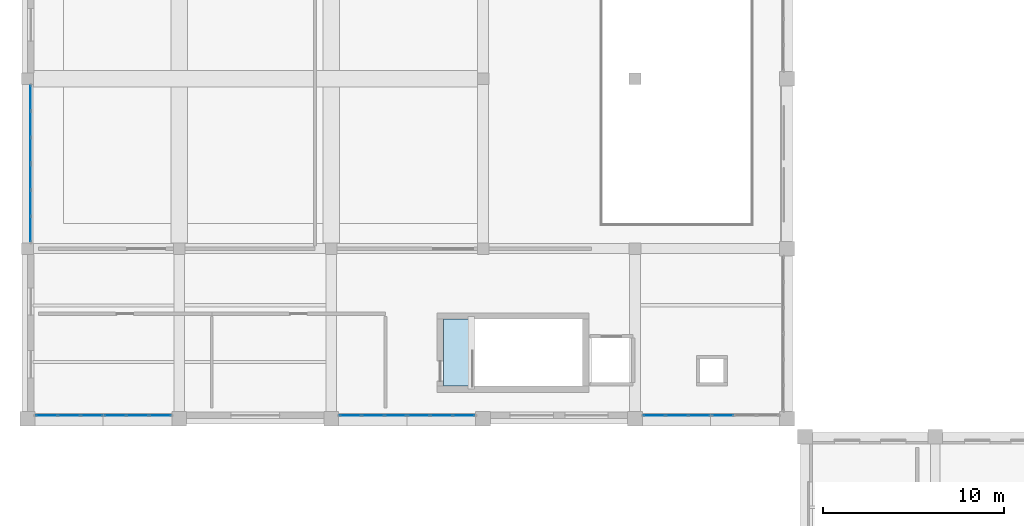
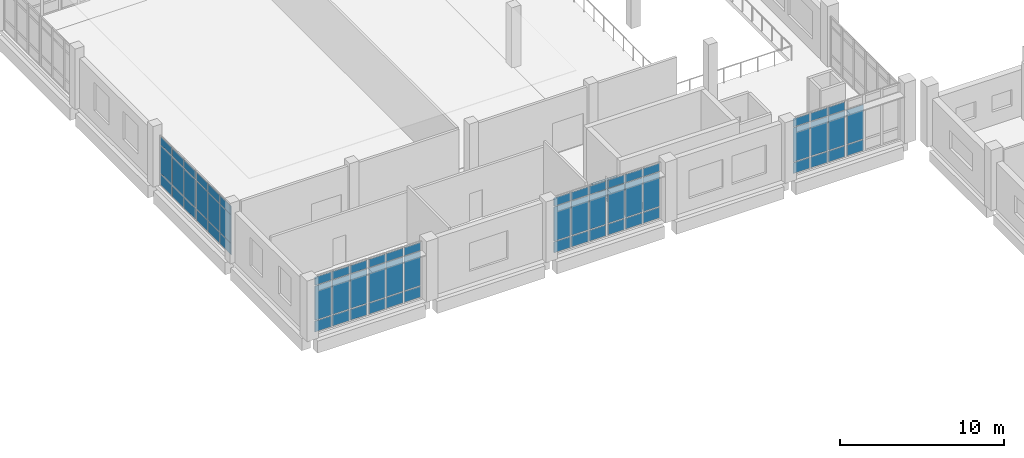
# One storey, part 30 of 54: 65 plates, 1 slab, 8 elements without a shape of their own.
"""IFC4 building model written with IfcOpenShell, lengths in metres."""

from ifc_helpers import new_model, si_unit, direction, frame, origin, origin_2d, place, context, subcontext, project, spatial, polyline, rectangle, outline, extrude, material, layer, layer_set, type_object, element, aggregate, save


model = new_model("IFC4")

# Units and contexts
model_context = context("Model", 3, precision=1e-05, world=origin(), true_north=direction((0.0, 1.0)))
body_context = subcontext(model_context, "Body", "Model", "MODEL_VIEW")
ifc_project = project(units=[si_unit("LENGTHUNIT", "METRE"), si_unit("AREAUNIT", "SQUARE_METRE"), si_unit("VOLUMEUNIT", "CUBIC_METRE"), si_unit("PLANEANGLEUNIT", "RADIAN"), si_unit("MASSUNIT", "GRAM", prefix="KILO")], contexts=[model_context])

# Site, building, storey
site_placement = place(None, origin())
site = spatial("IfcSite", under=ifc_project, at=site_placement, CompositionType="ELEMENT")
building_placement = place(site_placement, origin())
building = spatial("IfcBuilding", under=site, at=building_placement, Name="Kelarvand Opera House", CompositionType="ELEMENT")
storey_placement = place(building_placement, frame((0.0, 0.0, 15.0)))
storey = spatial("IfcBuildingStorey", under=building, at=storey_placement, Name="L03", CompositionType="ELEMENT", Elevation=15.0)

# Slab
ifc_material_1 = material(Name="Concrete C35/45", Category="concrete")
ifc_layer_1 = layer(ifc_material_1, 0.219970703125, Name="Concrete C35/45", Category="concrete")
ifc_layer_set_1 = layer_set([ifc_layer_1], Name="Concrete C35/45")
slab_type = type_object("IfcSlabType", Name="Core Stair Entry Landing Slab 220", PredefinedType="LANDING", material=ifc_layer_set_1)
slab_placement = place(storey_placement, frame((0.0, 0.0, -0.219970703125)))
element("IfcSlab", 1, at=slab_placement, inside=storey, type_object=slab_type, Name="C5 Stair Entry Landing L03", PredefinedType="LANDING", context=body_context, shape_type="SweptSolid", body=[
    extrude(outline(polyline([(32.0, 89.0), (33.719970703125, 89.0), (33.719970703125, 92.699951171875), (32.0, 92.699951171875), (32.0, 89.0)])), origin(), (0.0, 0.0, 1.0), 0.219970703125),
])

# Curtain wall, plates
ifc_material_2 = material(Name="Thermally broken aluminium and low-E glazing", Category="aluminium")
ifc_layer_2 = layer(ifc_material_2, 0.179931640625, Name="Thermally broken aluminium and low-E glazing", Category="aluminium")
ifc_layer_set_2 = layer_set([ifc_layer_2], Name="Thermally broken aluminium and low-E glazing")
curtain_wall_type_1 = type_object("IfcCurtainWallType", Name="Unitised Low-E Curtain Wall 4326x3717 Mod 1350 CWF-20", PredefinedType="USERDEFINED", material=ifc_layer_set_2)
curtain_wall_1_placement = place(storey_placement, origin())
curtain_wall_1 = element("IfcCurtainWall", 2, at=curtain_wall_1_placement, inside=storey, type_object=curtain_wall_type_1, Name="V3 L03 Curtain Wall CWF-20 (97)", ObjectType="UNITISED CURTAIN WALL", PredefinedType="USERDEFINED")
ifc_material_3 = material(Name="Low-E laminated double glazing", Category="glass")
ifc_layer_3 = layer(ifc_material_3, 0.031982421875, Name="Low-E laminated double glazing", Category="glass")
ifc_layer_set_3 = layer_set([ifc_layer_3], Name="Low-E laminated double glazing")
plate_type = type_object("IfcPlateType", Name="Low-E Argon Double Glazed Curtain Panel 32mm", PredefinedType="CURTAIN_PANEL", material=ifc_layer_set_3)
plate_1_placement = place(storey_placement, frame((9.179931640625, 97.677978515625, 0.06494140625), z_axis=(0.0, 0.0, 1.0), x_axis=(0.0, 1.0, 0.0)))
plate_1 = element("IfcPlate", 3, at=plate_1_placement, type_object=plate_type, Name="CWF-20 panel 1.1", PredefinedType="CURTAIN_PANEL", context=body_context, shape_type="SweptSolid", body=[
    extrude(rectangle(XDim=1.356201171875, YDim=0.031982421875, at=origin_2d()), origin(), (0.0, 0.0, 1.0), 0.802490234375),
])
plate_2_placement = place(storey_placement, frame((9.179931640625, 97.677978515625, 0.9326171875), z_axis=(0.0, 0.0, 1.0), x_axis=(0.0, 1.0, 0.0)))
plate_2 = element("IfcPlate", 4, at=plate_2_placement, type_object=plate_type, Name="CWF-20 panel 1.2", PredefinedType="CURTAIN_PANEL", context=body_context, shape_type="SweptSolid", body=[
    extrude(rectangle(XDim=1.356201171875, YDim=0.031982421875, at=origin_2d()), origin(), (0.0, 0.0, 1.0), 2.052001953125),
])
plate_3_placement = place(storey_placement, frame((9.179931640625, 97.677978515625, 3.04931640625), z_axis=(0.0, 0.0, 1.0), x_axis=(0.0, 1.0, 0.0)))
plate_3 = element("IfcPlate", 5, at=plate_3_placement, type_object=plate_type, Name="CWF-20 panel 1.3", PredefinedType="CURTAIN_PANEL", context=body_context, shape_type="SweptSolid", body=[
    extrude(rectangle(XDim=1.356201171875, YDim=0.031982421875, at=origin_2d()), origin(), (0.0, 0.0, 1.0), 0.602783203125),
])
plate_4_placement = place(storey_placement, frame((9.179931640625, 99.115478515625, 0.06494140625), z_axis=(0.0, 0.0, 1.0), x_axis=(0.0, 1.0, 0.0)))
plate_4 = element("IfcPlate", 6, at=plate_4_placement, type_object=plate_type, Name="CWF-20 panel 2.1", PredefinedType="CURTAIN_PANEL", context=body_context, shape_type="SweptSolid", body=[
    extrude(rectangle(XDim=1.388671875, YDim=0.031982421875, at=origin_2d()), origin(), (0.0, 0.0, 1.0), 0.802490234375),
])
plate_5_placement = place(storey_placement, frame((9.179931640625, 99.115478515625, 0.9326171875), z_axis=(0.0, 0.0, 1.0), x_axis=(0.0, 1.0, 0.0)))
plate_5 = element("IfcPlate", 7, at=plate_5_placement, type_object=plate_type, Name="CWF-20 panel 2.2", PredefinedType="CURTAIN_PANEL", context=body_context, shape_type="SweptSolid", body=[
    extrude(rectangle(XDim=1.388671875, YDim=0.031982421875, at=origin_2d()), origin(), (0.0, 0.0, 1.0), 2.052001953125),
])
plate_6_placement = place(storey_placement, frame((9.179931640625, 99.115478515625, 3.04931640625), z_axis=(0.0, 0.0, 1.0), x_axis=(0.0, 1.0, 0.0)))
plate_6 = element("IfcPlate", 8, at=plate_6_placement, type_object=plate_type, Name="CWF-20 panel 2.3", PredefinedType="CURTAIN_PANEL", context=body_context, shape_type="SweptSolid", body=[
    extrude(rectangle(XDim=1.388671875, YDim=0.031982421875, at=origin_2d()), origin(), (0.0, 0.0, 1.0), 0.602783203125),
])
plate_7_placement = place(storey_placement, frame((9.179931640625, 100.552978515625, 0.06494140625), z_axis=(0.0, 0.0, 1.0), x_axis=(0.0, 1.0, 0.0)))
plate_7 = element("IfcPlate", 9, at=plate_7_placement, type_object=plate_type, Name="CWF-20 panel 3.1", PredefinedType="CURTAIN_PANEL", context=body_context, shape_type="SweptSolid", body=[
    extrude(rectangle(XDim=1.356201171875, YDim=0.031982421875, at=origin_2d()), origin(), (0.0, 0.0, 1.0), 0.802490234375),
])
plate_8_placement = place(storey_placement, frame((9.179931640625, 100.552978515625, 0.9326171875), z_axis=(0.0, 0.0, 1.0), x_axis=(0.0, 1.0, 0.0)))
plate_8 = element("IfcPlate", 10, at=plate_8_placement, type_object=plate_type, Name="CWF-20 panel 3.2", PredefinedType="CURTAIN_PANEL", context=body_context, shape_type="SweptSolid", body=[
    extrude(rectangle(XDim=1.356201171875, YDim=0.031982421875, at=origin_2d()), origin(), (0.0, 0.0, 1.0), 2.052001953125),
])
plate_9_placement = place(storey_placement, frame((9.179931640625, 100.552978515625, 3.04931640625), z_axis=(0.0, 0.0, 1.0), x_axis=(0.0, 1.0, 0.0)))
plate_9 = element("IfcPlate", 11, at=plate_9_placement, type_object=plate_type, Name="CWF-20 panel 3.3", PredefinedType="CURTAIN_PANEL", context=body_context, shape_type="SweptSolid", body=[
    extrude(rectangle(XDim=1.356201171875, YDim=0.031982421875, at=origin_2d()), origin(), (0.0, 0.0, 1.0), 0.602783203125),
])
aggregate(curtain_wall_1, [plate_1, plate_2, plate_3, plate_4, plate_5, plate_6, plate_7, plate_8, plate_9])

curtain_wall_2_placement = place(storey_placement, origin())
curtain_wall_2 = element("IfcCurtainWall", 12, at=curtain_wall_2_placement, inside=storey, type_object=curtain_wall_type_1, Name="V3 L03 Curtain Wall CWF-20 (98)", ObjectType="UNITISED CURTAIN WALL", PredefinedType="USERDEFINED")
plate_10_placement = place(storey_placement, frame((9.179931640625, 102.043701171875, 0.06494140625), z_axis=(0.0, 0.0, 1.0), x_axis=(0.0, 1.0, 0.0)))
plate_10 = element("IfcPlate", 13, at=plate_10_placement, type_object=plate_type, Name="CWF-20 panel 1.1", PredefinedType="CURTAIN_PANEL", context=body_context, shape_type="SweptSolid", body=[
    extrude(rectangle(XDim=1.357421875, YDim=0.031982421875, at=origin_2d()), origin(), (0.0, 0.0, 1.0), 0.802490234375),
])
plate_11_placement = place(storey_placement, frame((9.179931640625, 102.043701171875, 0.9326171875), z_axis=(0.0, 0.0, 1.0), x_axis=(0.0, 1.0, 0.0)))
plate_11 = element("IfcPlate", 14, at=plate_11_placement, type_object=plate_type, Name="CWF-20 panel 1.2", PredefinedType="CURTAIN_PANEL", context=body_context, shape_type="SweptSolid", body=[
    extrude(rectangle(XDim=1.357421875, YDim=0.031982421875, at=origin_2d()), origin(), (0.0, 0.0, 1.0), 2.052001953125),
])
plate_12_placement = place(storey_placement, frame((9.179931640625, 102.043701171875, 3.04931640625), z_axis=(0.0, 0.0, 1.0), x_axis=(0.0, 1.0, 0.0)))
plate_12 = element("IfcPlate", 15, at=plate_12_placement, type_object=plate_type, Name="CWF-20 panel 1.3", PredefinedType="CURTAIN_PANEL", context=body_context, shape_type="SweptSolid", body=[
    extrude(rectangle(XDim=1.357421875, YDim=0.031982421875, at=origin_2d()), origin(), (0.0, 0.0, 1.0), 0.602783203125),
])
plate_13_placement = place(storey_placement, frame((9.179931640625, 103.482421875, 0.06494140625), z_axis=(0.0, 0.0, 1.0), x_axis=(0.0, 1.0, 0.0)))
plate_13 = element("IfcPlate", 16, at=plate_13_placement, type_object=plate_type, Name="CWF-20 panel 2.1", PredefinedType="CURTAIN_PANEL", context=body_context, shape_type="SweptSolid", body=[
    extrude(rectangle(XDim=1.389892578125, YDim=0.031982421875, at=origin_2d()), origin(), (0.0, 0.0, 1.0), 0.802490234375),
])
plate_14_placement = place(storey_placement, frame((9.179931640625, 103.482421875, 0.9326171875), z_axis=(0.0, 0.0, 1.0), x_axis=(0.0, 1.0, 0.0)))
plate_14 = element("IfcPlate", 17, at=plate_14_placement, type_object=plate_type, Name="CWF-20 panel 2.2", PredefinedType="CURTAIN_PANEL", context=body_context, shape_type="SweptSolid", body=[
    extrude(rectangle(XDim=1.389892578125, YDim=0.031982421875, at=origin_2d()), origin(), (0.0, 0.0, 1.0), 2.052001953125),
])
plate_15_placement = place(storey_placement, frame((9.179931640625, 103.482421875, 3.04931640625), z_axis=(0.0, 0.0, 1.0), x_axis=(0.0, 1.0, 0.0)))
plate_15 = element("IfcPlate", 18, at=plate_15_placement, type_object=plate_type, Name="CWF-20 panel 2.3", PredefinedType="CURTAIN_PANEL", context=body_context, shape_type="SweptSolid", body=[
    extrude(rectangle(XDim=1.389892578125, YDim=0.031982421875, at=origin_2d()), origin(), (0.0, 0.0, 1.0), 0.602783203125),
])
plate_16_placement = place(storey_placement, frame((9.179931640625, 104.921142578125, 0.06494140625), z_axis=(0.0, 0.0, 1.0), x_axis=(0.0, 1.0, 0.0)))
plate_16 = element("IfcPlate", 19, at=plate_16_placement, type_object=plate_type, Name="CWF-20 panel 3.1", PredefinedType="CURTAIN_PANEL", context=body_context, shape_type="SweptSolid", body=[
    extrude(rectangle(XDim=1.357421875, YDim=0.031982421875, at=origin_2d()), origin(), (0.0, 0.0, 1.0), 0.802490234375),
])
plate_17_placement = place(storey_placement, frame((9.179931640625, 104.921142578125, 0.9326171875), z_axis=(0.0, 0.0, 1.0), x_axis=(0.0, 1.0, 0.0)))
plate_17 = element("IfcPlate", 20, at=plate_17_placement, type_object=plate_type, Name="CWF-20 panel 3.2", PredefinedType="CURTAIN_PANEL", context=body_context, shape_type="SweptSolid", body=[
    extrude(rectangle(XDim=1.357421875, YDim=0.031982421875, at=origin_2d()), origin(), (0.0, 0.0, 1.0), 2.052001953125),
])
plate_18_placement = place(storey_placement, frame((9.179931640625, 104.921142578125, 3.04931640625), z_axis=(0.0, 0.0, 1.0), x_axis=(0.0, 1.0, 0.0)))
plate_18 = element("IfcPlate", 21, at=plate_18_placement, type_object=plate_type, Name="CWF-20 panel 3.3", PredefinedType="CURTAIN_PANEL", context=body_context, shape_type="SweptSolid", body=[
    extrude(rectangle(XDim=1.357421875, YDim=0.031982421875, at=origin_2d()), origin(), (0.0, 0.0, 1.0), 0.602783203125),
])
aggregate(curtain_wall_2, [plate_10, plate_11, plate_12, plate_13, plate_14, plate_15, plate_16, plate_17, plate_18])

ifc_layer_4 = layer(ifc_material_2, 0.179931640625, Name="Thermally broken aluminium and low-E glazing", Category="aluminium")
ifc_layer_set_4 = layer_set([ifc_layer_4], Name="Thermally broken aluminium and low-E glazing")
curtain_wall_type_2 = type_object("IfcCurtainWallType", Name="Unitised Low-E Curtain Wall 3776x4200 Mod 1350 CWF-14", PredefinedType="USERDEFINED", material=ifc_layer_set_4)
curtain_wall_3_placement = place(storey_placement, origin())
curtain_wall_3 = element("IfcCurtainWall", 22, at=curtain_wall_3_placement, inside=storey, type_object=curtain_wall_type_2, Name="V3 L03 Curtain Wall CWF-14 (101)", ObjectType="UNITISED CURTAIN WALL", PredefinedType="USERDEFINED")
plate_19_placement = place(storey_placement, frame((47.449462890625, 87.3798828125, 0.06494140625), z_axis=(0.0, 0.0, 1.0), x_axis=(-1.0, 0.0, 0.0)))
plate_19 = element("IfcPlate", 23, at=plate_19_placement, type_object=plate_type, Name="CWF-14 panel 3.1", PredefinedType="CURTAIN_PANEL", context=body_context, shape_type="SweptSolid", body=[
    extrude(rectangle(XDim=1.1611328125, YDim=0.031982421875, at=origin_2d()), origin(), (0.0, 0.0, 1.0), 0.802490234375),
])
plate_20_placement = place(storey_placement, frame((47.449462890625, 87.3798828125, 0.9326171875), z_axis=(0.0, 0.0, 1.0), x_axis=(-1.0, 0.0, 0.0)))
plate_20 = element("IfcPlate", 24, at=plate_20_placement, type_object=plate_type, Name="CWF-14 panel 3.2", PredefinedType="CURTAIN_PANEL", context=body_context, shape_type="SweptSolid", body=[
    extrude(rectangle(XDim=1.1611328125, YDim=0.031982421875, at=origin_2d()), origin(), (0.0, 0.0, 1.0), 2.534912109375),
])
aggregate(curtain_wall_3, [plate_19, plate_20])

curtain_wall_4_placement = place(storey_placement, origin())
curtain_wall_4 = element("IfcCurtainWall", 25, at=curtain_wall_4_placement, inside=storey, type_object=curtain_wall_type_2, Name="V3 L03 Curtain Wall CWF-14 (102)", ObjectType="UNITISED CURTAIN WALL", PredefinedType="USERDEFINED")
plate_21_placement = place(storey_placement, frame((46.15380859375, 87.3798828125, 0.06494140625), z_axis=(0.0, 0.0, 1.0), x_axis=(-1.0, 0.0, 0.0)))
plate_21 = element("IfcPlate", 26, at=plate_21_placement, type_object=plate_type, Name="CWF-14 panel 1.1", PredefinedType="CURTAIN_PANEL", context=body_context, shape_type="SweptSolid", body=[
    extrude(rectangle(XDim=1.16259765625, YDim=0.031982421875, at=origin_2d()), origin(), (0.0, 0.0, 1.0), 0.802490234375),
])
plate_22_placement = place(storey_placement, frame((46.15380859375, 87.3798828125, 0.9326171875), z_axis=(0.0, 0.0, 1.0), x_axis=(-1.0, 0.0, 0.0)))
plate_22 = element("IfcPlate", 27, at=plate_22_placement, type_object=plate_type, Name="CWF-14 panel 1.2", PredefinedType="CURTAIN_PANEL", context=body_context, shape_type="SweptSolid", body=[
    extrude(rectangle(XDim=1.16259765625, YDim=0.031982421875, at=origin_2d()), origin(), (0.0, 0.0, 1.0), 2.534912109375),
])
plate_23_placement = place(storey_placement, frame((46.15380859375, 87.3798828125, 3.532470703125), z_axis=(0.0, 0.0, 1.0), x_axis=(-1.0, 0.0, 0.0)))
plate_23 = element("IfcPlate", 28, at=plate_23_placement, type_object=plate_type, Name="CWF-14 panel 1.3", PredefinedType="CURTAIN_PANEL", context=body_context, shape_type="SweptSolid", body=[
    extrude(rectangle(XDim=1.16259765625, YDim=0.031982421875, at=origin_2d()), origin(), (0.0, 0.0, 1.0), 0.6025390625),
])
plate_24_placement = place(storey_placement, frame((44.909912109375, 87.3798828125, 0.06494140625), z_axis=(0.0, 0.0, 1.0), x_axis=(-1.0, 0.0, 0.0)))
plate_24 = element("IfcPlate", 29, at=plate_24_placement, type_object=plate_type, Name="CWF-14 panel 2.1", PredefinedType="CURTAIN_PANEL", context=body_context, shape_type="SweptSolid", body=[
    extrude(rectangle(XDim=1.195068359375, YDim=0.031982421875, at=origin_2d()), origin(), (0.0, 0.0, 1.0), 0.802490234375),
])
plate_25_placement = place(storey_placement, frame((44.909912109375, 87.3798828125, 0.9326171875), z_axis=(0.0, 0.0, 1.0), x_axis=(-1.0, 0.0, 0.0)))
plate_25 = element("IfcPlate", 30, at=plate_25_placement, type_object=plate_type, Name="CWF-14 panel 2.2", PredefinedType="CURTAIN_PANEL", context=body_context, shape_type="SweptSolid", body=[
    extrude(rectangle(XDim=1.195068359375, YDim=0.031982421875, at=origin_2d()), origin(), (0.0, 0.0, 1.0), 2.534912109375),
])
plate_26_placement = place(storey_placement, frame((44.909912109375, 87.3798828125, 3.532470703125), z_axis=(0.0, 0.0, 1.0), x_axis=(-1.0, 0.0, 0.0)))
plate_26 = element("IfcPlate", 31, at=plate_26_placement, type_object=plate_type, Name="CWF-14 panel 2.3", PredefinedType="CURTAIN_PANEL", context=body_context, shape_type="SweptSolid", body=[
    extrude(rectangle(XDim=1.195068359375, YDim=0.031982421875, at=origin_2d()), origin(), (0.0, 0.0, 1.0), 0.6025390625),
])
plate_27_placement = place(storey_placement, frame((43.666259765625, 87.3798828125, 0.06494140625), z_axis=(0.0, 0.0, 1.0), x_axis=(-1.0, 0.0, 0.0)))
plate_27 = element("IfcPlate", 32, at=plate_27_placement, type_object=plate_type, Name="CWF-14 panel 3.1", PredefinedType="CURTAIN_PANEL", context=body_context, shape_type="SweptSolid", body=[
    extrude(rectangle(XDim=1.16259765625, YDim=0.031982421875, at=origin_2d()), origin(), (0.0, 0.0, 1.0), 0.802490234375),
])
plate_28_placement = place(storey_placement, frame((43.666259765625, 87.3798828125, 0.9326171875), z_axis=(0.0, 0.0, 1.0), x_axis=(-1.0, 0.0, 0.0)))
plate_28 = element("IfcPlate", 33, at=plate_28_placement, type_object=plate_type, Name="CWF-14 panel 3.2", PredefinedType="CURTAIN_PANEL", context=body_context, shape_type="SweptSolid", body=[
    extrude(rectangle(XDim=1.16259765625, YDim=0.031982421875, at=origin_2d()), origin(), (0.0, 0.0, 1.0), 2.534912109375),
])
plate_29_placement = place(storey_placement, frame((43.666259765625, 87.3798828125, 3.532470703125), z_axis=(0.0, 0.0, 1.0), x_axis=(-1.0, 0.0, 0.0)))
plate_29 = element("IfcPlate", 34, at=plate_29_placement, type_object=plate_type, Name="CWF-14 panel 3.3", PredefinedType="CURTAIN_PANEL", context=body_context, shape_type="SweptSolid", body=[
    extrude(rectangle(XDim=1.16259765625, YDim=0.031982421875, at=origin_2d()), origin(), (0.0, 0.0, 1.0), 0.6025390625),
])
aggregate(curtain_wall_4, [plate_21, plate_22, plate_23, plate_24, plate_25, plate_26, plate_27, plate_28, plate_29])

curtain_wall_5_placement = place(storey_placement, origin())
curtain_wall_5 = element("IfcCurtainWall", 35, at=curtain_wall_5_placement, inside=storey, type_object=curtain_wall_type_2, Name="V3 L03 Curtain Wall CWF-14 (103)", ObjectType="UNITISED CURTAIN WALL", PredefinedType="USERDEFINED")
plate_30_placement = place(storey_placement, frame((33.134521484375, 87.3798828125, 0.06494140625), z_axis=(0.0, 0.0, 1.0), x_axis=(-1.0, 0.0, 0.0)))
plate_30 = element("IfcPlate", 36, at=plate_30_placement, type_object=plate_type, Name="CWF-14 panel 1.1", PredefinedType="CURTAIN_PANEL", context=body_context, shape_type="SweptSolid", body=[
    extrude(rectangle(XDim=1.1611328125, YDim=0.031982421875, at=origin_2d()), origin(), (0.0, 0.0, 1.0), 0.802490234375),
])
plate_31_placement = place(storey_placement, frame((33.134521484375, 87.3798828125, 0.9326171875), z_axis=(0.0, 0.0, 1.0), x_axis=(-1.0, 0.0, 0.0)))
plate_31 = element("IfcPlate", 37, at=plate_31_placement, type_object=plate_type, Name="CWF-14 panel 1.2", PredefinedType="CURTAIN_PANEL", context=body_context, shape_type="SweptSolid", body=[
    extrude(rectangle(XDim=1.1611328125, YDim=0.031982421875, at=origin_2d()), origin(), (0.0, 0.0, 1.0), 2.534912109375),
])
plate_32_placement = place(storey_placement, frame((33.134521484375, 87.3798828125, 3.532470703125), z_axis=(0.0, 0.0, 1.0), x_axis=(-1.0, 0.0, 0.0)))
plate_32 = element("IfcPlate", 38, at=plate_32_placement, type_object=plate_type, Name="CWF-14 panel 1.3", PredefinedType="CURTAIN_PANEL", context=body_context, shape_type="SweptSolid", body=[
    extrude(rectangle(XDim=1.1611328125, YDim=0.031982421875, at=origin_2d()), origin(), (0.0, 0.0, 1.0), 0.6025390625),
])
plate_33_placement = place(storey_placement, frame((31.89208984375, 87.3798828125, 0.06494140625), z_axis=(0.0, 0.0, 1.0), x_axis=(-1.0, 0.0, 0.0)))
plate_33 = element("IfcPlate", 39, at=plate_33_placement, type_object=plate_type, Name="CWF-14 panel 2.1", PredefinedType="CURTAIN_PANEL", context=body_context, shape_type="SweptSolid", body=[
    extrude(rectangle(XDim=1.193603515625, YDim=0.031982421875, at=origin_2d()), origin(), (0.0, 0.0, 1.0), 0.802490234375),
])
plate_34_placement = place(storey_placement, frame((31.89208984375, 87.3798828125, 0.9326171875), z_axis=(0.0, 0.0, 1.0), x_axis=(-1.0, 0.0, 0.0)))
plate_34 = element("IfcPlate", 40, at=plate_34_placement, type_object=plate_type, Name="CWF-14 panel 2.2", PredefinedType="CURTAIN_PANEL", context=body_context, shape_type="SweptSolid", body=[
    extrude(rectangle(XDim=1.193603515625, YDim=0.031982421875, at=origin_2d()), origin(), (0.0, 0.0, 1.0), 2.534912109375),
])
plate_35_placement = place(storey_placement, frame((31.89208984375, 87.3798828125, 3.532470703125), z_axis=(0.0, 0.0, 1.0), x_axis=(-1.0, 0.0, 0.0)))
plate_35 = element("IfcPlate", 41, at=plate_35_placement, type_object=plate_type, Name="CWF-14 panel 2.3", PredefinedType="CURTAIN_PANEL", context=body_context, shape_type="SweptSolid", body=[
    extrude(rectangle(XDim=1.193603515625, YDim=0.031982421875, at=origin_2d()), origin(), (0.0, 0.0, 1.0), 0.6025390625),
])
plate_36_placement = place(storey_placement, frame((30.649658203125, 87.3798828125, 0.06494140625), z_axis=(0.0, 0.0, 1.0), x_axis=(-1.0, 0.0, 0.0)))
plate_36 = element("IfcPlate", 42, at=plate_36_placement, type_object=plate_type, Name="CWF-14 panel 3.1", PredefinedType="CURTAIN_PANEL", context=body_context, shape_type="SweptSolid", body=[
    extrude(rectangle(XDim=1.1611328125, YDim=0.031982421875, at=origin_2d()), origin(), (0.0, 0.0, 1.0), 0.802490234375),
])
plate_37_placement = place(storey_placement, frame((30.649658203125, 87.3798828125, 0.9326171875), z_axis=(0.0, 0.0, 1.0), x_axis=(-1.0, 0.0, 0.0)))
plate_37 = element("IfcPlate", 43, at=plate_37_placement, type_object=plate_type, Name="CWF-14 panel 3.2", PredefinedType="CURTAIN_PANEL", context=body_context, shape_type="SweptSolid", body=[
    extrude(rectangle(XDim=1.1611328125, YDim=0.031982421875, at=origin_2d()), origin(), (0.0, 0.0, 1.0), 2.534912109375),
])
plate_38_placement = place(storey_placement, frame((30.649658203125, 87.3798828125, 3.532470703125), z_axis=(0.0, 0.0, 1.0), x_axis=(-1.0, 0.0, 0.0)))
plate_38 = element("IfcPlate", 44, at=plate_38_placement, type_object=plate_type, Name="CWF-14 panel 3.3", PredefinedType="CURTAIN_PANEL", context=body_context, shape_type="SweptSolid", body=[
    extrude(rectangle(XDim=1.1611328125, YDim=0.031982421875, at=origin_2d()), origin(), (0.0, 0.0, 1.0), 0.6025390625),
])
aggregate(curtain_wall_5, [plate_30, plate_31, plate_32, plate_33, plate_34, plate_35, plate_36, plate_37, plate_38])

curtain_wall_6_placement = place(storey_placement, origin())
curtain_wall_6 = element("IfcCurtainWall", 45, at=curtain_wall_6_placement, inside=storey, type_object=curtain_wall_type_2, Name="V3 L03 Curtain Wall CWF-14 (104)", ObjectType="UNITISED CURTAIN WALL", PredefinedType="USERDEFINED")
plate_39_placement = place(storey_placement, frame((29.353759765625, 87.3798828125, 0.06494140625), z_axis=(0.0, 0.0, 1.0), x_axis=(-1.0, 0.0, 0.0)))
plate_39 = element("IfcPlate", 46, at=plate_39_placement, type_object=plate_type, Name="CWF-14 panel 1.1", PredefinedType="CURTAIN_PANEL", context=body_context, shape_type="SweptSolid", body=[
    extrude(rectangle(XDim=1.16259765625, YDim=0.031982421875, at=origin_2d()), origin(), (0.0, 0.0, 1.0), 0.802490234375),
])
plate_40_placement = place(storey_placement, frame((29.353759765625, 87.3798828125, 0.9326171875), z_axis=(0.0, 0.0, 1.0), x_axis=(-1.0, 0.0, 0.0)))
plate_40 = element("IfcPlate", 47, at=plate_40_placement, type_object=plate_type, Name="CWF-14 panel 1.2", PredefinedType="CURTAIN_PANEL", context=body_context, shape_type="SweptSolid", body=[
    extrude(rectangle(XDim=1.16259765625, YDim=0.031982421875, at=origin_2d()), origin(), (0.0, 0.0, 1.0), 2.534912109375),
])
plate_41_placement = place(storey_placement, frame((29.353759765625, 87.3798828125, 3.532470703125), z_axis=(0.0, 0.0, 1.0), x_axis=(-1.0, 0.0, 0.0)))
plate_41 = element("IfcPlate", 48, at=plate_41_placement, type_object=plate_type, Name="CWF-14 panel 1.3", PredefinedType="CURTAIN_PANEL", context=body_context, shape_type="SweptSolid", body=[
    extrude(rectangle(XDim=1.16259765625, YDim=0.031982421875, at=origin_2d()), origin(), (0.0, 0.0, 1.0), 0.6025390625),
])
plate_42_placement = place(storey_placement, frame((28.110107421875, 87.3798828125, 0.06494140625), z_axis=(0.0, 0.0, 1.0), x_axis=(-1.0, 0.0, 0.0)))
plate_42 = element("IfcPlate", 49, at=plate_42_placement, type_object=plate_type, Name="CWF-14 panel 2.1", PredefinedType="CURTAIN_PANEL", context=body_context, shape_type="SweptSolid", body=[
    extrude(rectangle(XDim=1.195068359375, YDim=0.031982421875, at=origin_2d()), origin(), (0.0, 0.0, 1.0), 0.802490234375),
])
plate_43_placement = place(storey_placement, frame((28.110107421875, 87.3798828125, 0.9326171875), z_axis=(0.0, 0.0, 1.0), x_axis=(-1.0, 0.0, 0.0)))
plate_43 = element("IfcPlate", 50, at=plate_43_placement, type_object=plate_type, Name="CWF-14 panel 2.2", PredefinedType="CURTAIN_PANEL", context=body_context, shape_type="SweptSolid", body=[
    extrude(rectangle(XDim=1.195068359375, YDim=0.031982421875, at=origin_2d()), origin(), (0.0, 0.0, 1.0), 2.534912109375),
])
plate_44_placement = place(storey_placement, frame((28.110107421875, 87.3798828125, 3.532470703125), z_axis=(0.0, 0.0, 1.0), x_axis=(-1.0, 0.0, 0.0)))
plate_44 = element("IfcPlate", 51, at=plate_44_placement, type_object=plate_type, Name="CWF-14 panel 2.3", PredefinedType="CURTAIN_PANEL", context=body_context, shape_type="SweptSolid", body=[
    extrude(rectangle(XDim=1.195068359375, YDim=0.031982421875, at=origin_2d()), origin(), (0.0, 0.0, 1.0), 0.6025390625),
])
plate_45_placement = place(storey_placement, frame((26.8662109375, 87.3798828125, 0.06494140625), z_axis=(0.0, 0.0, 1.0), x_axis=(-1.0, 0.0, 0.0)))
plate_45 = element("IfcPlate", 52, at=plate_45_placement, type_object=plate_type, Name="CWF-14 panel 3.1", PredefinedType="CURTAIN_PANEL", context=body_context, shape_type="SweptSolid", body=[
    extrude(rectangle(XDim=1.16259765625, YDim=0.031982421875, at=origin_2d()), origin(), (0.0, 0.0, 1.0), 0.802490234375),
])
plate_46_placement = place(storey_placement, frame((26.8662109375, 87.3798828125, 0.9326171875), z_axis=(0.0, 0.0, 1.0), x_axis=(-1.0, 0.0, 0.0)))
plate_46 = element("IfcPlate", 53, at=plate_46_placement, type_object=plate_type, Name="CWF-14 panel 3.2", PredefinedType="CURTAIN_PANEL", context=body_context, shape_type="SweptSolid", body=[
    extrude(rectangle(XDim=1.16259765625, YDim=0.031982421875, at=origin_2d()), origin(), (0.0, 0.0, 1.0), 2.534912109375),
])
plate_47_placement = place(storey_placement, frame((26.8662109375, 87.3798828125, 3.532470703125), z_axis=(0.0, 0.0, 1.0), x_axis=(-1.0, 0.0, 0.0)))
plate_47 = element("IfcPlate", 54, at=plate_47_placement, type_object=plate_type, Name="CWF-14 panel 3.3", PredefinedType="CURTAIN_PANEL", context=body_context, shape_type="SweptSolid", body=[
    extrude(rectangle(XDim=1.16259765625, YDim=0.031982421875, at=origin_2d()), origin(), (0.0, 0.0, 1.0), 0.6025390625),
])
aggregate(curtain_wall_6, [plate_39, plate_40, plate_41, plate_42, plate_43, plate_44, plate_45, plate_46, plate_47])

curtain_wall_7_placement = place(storey_placement, origin())
curtain_wall_7 = element("IfcCurtainWall", 55, at=curtain_wall_7_placement, inside=storey, type_object=curtain_wall_type_2, Name="V3 L03 Curtain Wall CWF-14 (105)", ObjectType="UNITISED CURTAIN WALL", PredefinedType="USERDEFINED")
plate_48_placement = place(storey_placement, frame((16.33447265625, 87.3798828125, 0.06494140625), z_axis=(0.0, 0.0, 1.0), x_axis=(-1.0, 0.0, 0.0)))
plate_48 = element("IfcPlate", 56, at=plate_48_placement, type_object=plate_type, Name="CWF-14 panel 1.1", PredefinedType="CURTAIN_PANEL", context=body_context, shape_type="SweptSolid", body=[
    extrude(rectangle(XDim=1.1611328125, YDim=0.031982421875, at=origin_2d()), origin(), (0.0, 0.0, 1.0), 0.802490234375),
])
plate_49_placement = place(storey_placement, frame((16.33447265625, 87.3798828125, 0.9326171875), z_axis=(0.0, 0.0, 1.0), x_axis=(-1.0, 0.0, 0.0)))
plate_49 = element("IfcPlate", 57, at=plate_49_placement, type_object=plate_type, Name="CWF-14 panel 1.2", PredefinedType="CURTAIN_PANEL", context=body_context, shape_type="SweptSolid", body=[
    extrude(rectangle(XDim=1.1611328125, YDim=0.031982421875, at=origin_2d()), origin(), (0.0, 0.0, 1.0), 2.534912109375),
])
plate_50_placement = place(storey_placement, frame((16.33447265625, 87.3798828125, 3.532470703125), z_axis=(0.0, 0.0, 1.0), x_axis=(-1.0, 0.0, 0.0)))
plate_50 = element("IfcPlate", 58, at=plate_50_placement, type_object=plate_type, Name="CWF-14 panel 1.3", PredefinedType="CURTAIN_PANEL", context=body_context, shape_type="SweptSolid", body=[
    extrude(rectangle(XDim=1.1611328125, YDim=0.031982421875, at=origin_2d()), origin(), (0.0, 0.0, 1.0), 0.6025390625),
])
plate_51_placement = place(storey_placement, frame((15.092041015625, 87.3798828125, 0.06494140625), z_axis=(0.0, 0.0, 1.0), x_axis=(-1.0, 0.0, 0.0)))
plate_51 = element("IfcPlate", 59, at=plate_51_placement, type_object=plate_type, Name="CWF-14 panel 2.1", PredefinedType="CURTAIN_PANEL", context=body_context, shape_type="SweptSolid", body=[
    extrude(rectangle(XDim=1.193603515625, YDim=0.031982421875, at=origin_2d()), origin(), (0.0, 0.0, 1.0), 0.802490234375),
])
plate_52_placement = place(storey_placement, frame((15.092041015625, 87.3798828125, 0.9326171875), z_axis=(0.0, 0.0, 1.0), x_axis=(-1.0, 0.0, 0.0)))
plate_52 = element("IfcPlate", 60, at=plate_52_placement, type_object=plate_type, Name="CWF-14 panel 2.2", PredefinedType="CURTAIN_PANEL", context=body_context, shape_type="SweptSolid", body=[
    extrude(rectangle(XDim=1.193603515625, YDim=0.031982421875, at=origin_2d()), origin(), (0.0, 0.0, 1.0), 2.534912109375),
])
plate_53_placement = place(storey_placement, frame((15.092041015625, 87.3798828125, 3.532470703125), z_axis=(0.0, 0.0, 1.0), x_axis=(-1.0, 0.0, 0.0)))
plate_53 = element("IfcPlate", 61, at=plate_53_placement, type_object=plate_type, Name="CWF-14 panel 2.3", PredefinedType="CURTAIN_PANEL", context=body_context, shape_type="SweptSolid", body=[
    extrude(rectangle(XDim=1.193603515625, YDim=0.031982421875, at=origin_2d()), origin(), (0.0, 0.0, 1.0), 0.6025390625),
])
plate_54_placement = place(storey_placement, frame((13.849609375, 87.3798828125, 0.06494140625), z_axis=(0.0, 0.0, 1.0), x_axis=(-1.0, 0.0, 0.0)))
plate_54 = element("IfcPlate", 62, at=plate_54_placement, type_object=plate_type, Name="CWF-14 panel 3.1", PredefinedType="CURTAIN_PANEL", context=body_context, shape_type="SweptSolid", body=[
    extrude(rectangle(XDim=1.1611328125, YDim=0.031982421875, at=origin_2d()), origin(), (0.0, 0.0, 1.0), 0.802490234375),
])
plate_55_placement = place(storey_placement, frame((13.849609375, 87.3798828125, 0.9326171875), z_axis=(0.0, 0.0, 1.0), x_axis=(-1.0, 0.0, 0.0)))
plate_55 = element("IfcPlate", 63, at=plate_55_placement, type_object=plate_type, Name="CWF-14 panel 3.2", PredefinedType="CURTAIN_PANEL", context=body_context, shape_type="SweptSolid", body=[
    extrude(rectangle(XDim=1.1611328125, YDim=0.031982421875, at=origin_2d()), origin(), (0.0, 0.0, 1.0), 2.534912109375),
])
plate_56_placement = place(storey_placement, frame((13.849609375, 87.3798828125, 3.532470703125), z_axis=(0.0, 0.0, 1.0), x_axis=(-1.0, 0.0, 0.0)))
plate_56 = element("IfcPlate", 64, at=plate_56_placement, type_object=plate_type, Name="CWF-14 panel 3.3", PredefinedType="CURTAIN_PANEL", context=body_context, shape_type="SweptSolid", body=[
    extrude(rectangle(XDim=1.1611328125, YDim=0.031982421875, at=origin_2d()), origin(), (0.0, 0.0, 1.0), 0.6025390625),
])
aggregate(curtain_wall_7, [plate_48, plate_49, plate_50, plate_51, plate_52, plate_53, plate_54, plate_55, plate_56])

curtain_wall_8_placement = place(storey_placement, origin())
curtain_wall_8 = element("IfcCurtainWall", 65, at=curtain_wall_8_placement, inside=storey, type_object=curtain_wall_type_2, Name="V3 L03 Curtain Wall CWF-14 (106)", ObjectType="UNITISED CURTAIN WALL", PredefinedType="USERDEFINED")
plate_57_placement = place(storey_placement, frame((12.5537109375, 87.3798828125, 0.06494140625), z_axis=(0.0, 0.0, 1.0), x_axis=(-1.0, 0.0, 0.0)))
plate_57 = element("IfcPlate", 66, at=plate_57_placement, type_object=plate_type, Name="CWF-14 panel 1.1", PredefinedType="CURTAIN_PANEL", context=body_context, shape_type="SweptSolid", body=[
    extrude(rectangle(XDim=1.16259765625, YDim=0.031982421875, at=origin_2d()), origin(), (0.0, 0.0, 1.0), 0.802490234375),
])
plate_58_placement = place(storey_placement, frame((12.5537109375, 87.3798828125, 0.9326171875), z_axis=(0.0, 0.0, 1.0), x_axis=(-1.0, 0.0, 0.0)))
plate_58 = element("IfcPlate", 67, at=plate_58_placement, type_object=plate_type, Name="CWF-14 panel 1.2", PredefinedType="CURTAIN_PANEL", context=body_context, shape_type="SweptSolid", body=[
    extrude(rectangle(XDim=1.16259765625, YDim=0.031982421875, at=origin_2d()), origin(), (0.0, 0.0, 1.0), 2.534912109375),
])
plate_59_placement = place(storey_placement, frame((12.5537109375, 87.3798828125, 3.532470703125), z_axis=(0.0, 0.0, 1.0), x_axis=(-1.0, 0.0, 0.0)))
plate_59 = element("IfcPlate", 68, at=plate_59_placement, type_object=plate_type, Name="CWF-14 panel 1.3", PredefinedType="CURTAIN_PANEL", context=body_context, shape_type="SweptSolid", body=[
    extrude(rectangle(XDim=1.16259765625, YDim=0.031982421875, at=origin_2d()), origin(), (0.0, 0.0, 1.0), 0.6025390625),
])
plate_60_placement = place(storey_placement, frame((11.31005859375, 87.3798828125, 0.06494140625), z_axis=(0.0, 0.0, 1.0), x_axis=(-1.0, 0.0, 0.0)))
plate_60 = element("IfcPlate", 69, at=plate_60_placement, type_object=plate_type, Name="CWF-14 panel 2.1", PredefinedType="CURTAIN_PANEL", context=body_context, shape_type="SweptSolid", body=[
    extrude(rectangle(XDim=1.195068359375, YDim=0.031982421875, at=origin_2d()), origin(), (0.0, 0.0, 1.0), 0.802490234375),
])
plate_61_placement = place(storey_placement, frame((11.31005859375, 87.3798828125, 0.9326171875), z_axis=(0.0, 0.0, 1.0), x_axis=(-1.0, 0.0, 0.0)))
plate_61 = element("IfcPlate", 70, at=plate_61_placement, type_object=plate_type, Name="CWF-14 panel 2.2", PredefinedType="CURTAIN_PANEL", context=body_context, shape_type="SweptSolid", body=[
    extrude(rectangle(XDim=1.195068359375, YDim=0.031982421875, at=origin_2d()), origin(), (0.0, 0.0, 1.0), 2.534912109375),
])
plate_62_placement = place(storey_placement, frame((11.31005859375, 87.3798828125, 3.532470703125), z_axis=(0.0, 0.0, 1.0), x_axis=(-1.0, 0.0, 0.0)))
plate_62 = element("IfcPlate", 71, at=plate_62_placement, type_object=plate_type, Name="CWF-14 panel 2.3", PredefinedType="CURTAIN_PANEL", context=body_context, shape_type="SweptSolid", body=[
    extrude(rectangle(XDim=1.195068359375, YDim=0.031982421875, at=origin_2d()), origin(), (0.0, 0.0, 1.0), 0.6025390625),
])
plate_63_placement = place(storey_placement, frame((10.066162109375, 87.3798828125, 0.06494140625), z_axis=(0.0, 0.0, 1.0), x_axis=(-1.0, 0.0, 0.0)))
plate_63 = element("IfcPlate", 72, at=plate_63_placement, type_object=plate_type, Name="CWF-14 panel 3.1", PredefinedType="CURTAIN_PANEL", context=body_context, shape_type="SweptSolid", body=[
    extrude(rectangle(XDim=1.16259765625, YDim=0.031982421875, at=origin_2d()), origin(), (0.0, 0.0, 1.0), 0.802490234375),
])
plate_64_placement = place(storey_placement, frame((10.066162109375, 87.3798828125, 0.9326171875), z_axis=(0.0, 0.0, 1.0), x_axis=(-1.0, 0.0, 0.0)))
plate_64 = element("IfcPlate", 73, at=plate_64_placement, type_object=plate_type, Name="CWF-14 panel 3.2", PredefinedType="CURTAIN_PANEL", context=body_context, shape_type="SweptSolid", body=[
    extrude(rectangle(XDim=1.16259765625, YDim=0.031982421875, at=origin_2d()), origin(), (0.0, 0.0, 1.0), 2.534912109375),
])
plate_65_placement = place(storey_placement, frame((10.066162109375, 87.3798828125, 3.532470703125), z_axis=(0.0, 0.0, 1.0), x_axis=(-1.0, 0.0, 0.0)))
plate_65 = element("IfcPlate", 74, at=plate_65_placement, type_object=plate_type, Name="CWF-14 panel 3.3", PredefinedType="CURTAIN_PANEL", context=body_context, shape_type="SweptSolid", body=[
    extrude(rectangle(XDim=1.16259765625, YDim=0.031982421875, at=origin_2d()), origin(), (0.0, 0.0, 1.0), 0.6025390625),
])
aggregate(curtain_wall_8, [plate_57, plate_58, plate_59, plate_60, plate_61, plate_62, plate_63, plate_64, plate_65])

save(model, "model.ifc")
